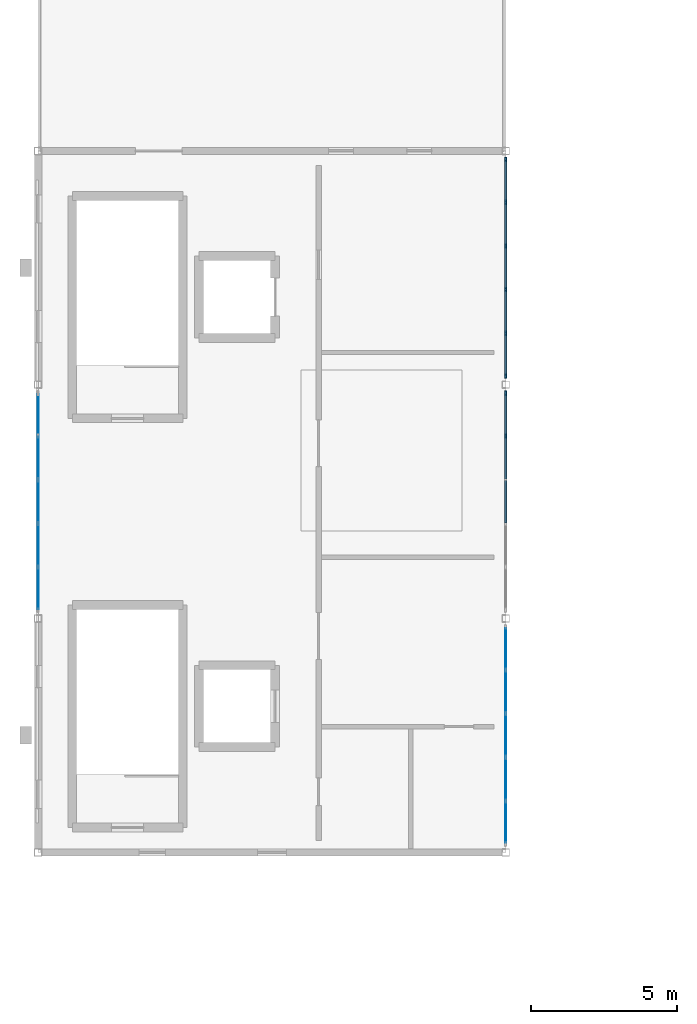
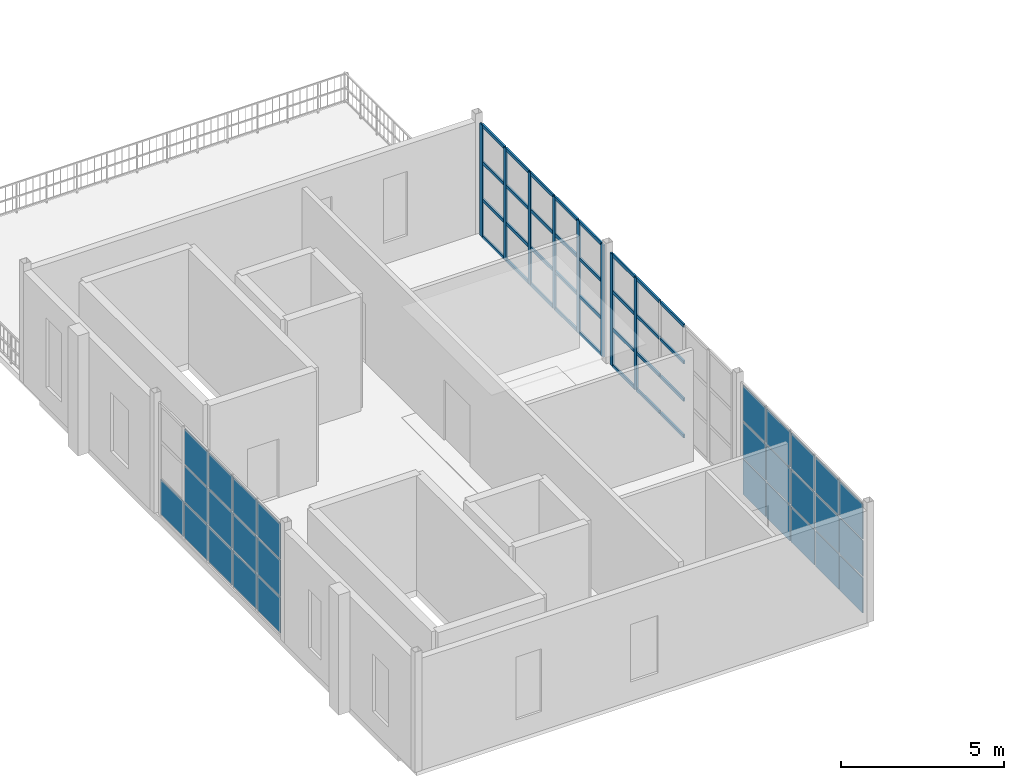
# One storey, part 2 of 9: 40 members, 28 plates, 4 elements without a shape of their own.
"""IFC4 building model written with IfcOpenShell, lengths in metres."""

from ifc_helpers import new_model, si_unit, direction, frame, origin, origin_2d, place, context, subcontext, project, spatial, rectangle, extrude, material, layer, layer_set, material_profile, profile_set, type_object, element, aggregate, save


model = new_model("IFC4")

# Units and contexts
model_context = context("Model", 3, precision=1e-05, world=origin(), true_north=direction((0.0, 1.0)))
body_context = subcontext(model_context, "Body", "Model", "MODEL_VIEW")
ifc_project = project(units=[si_unit("LENGTHUNIT", "METRE"), si_unit("AREAUNIT", "SQUARE_METRE"), si_unit("VOLUMEUNIT", "CUBIC_METRE"), si_unit("PLANEANGLEUNIT", "RADIAN"), si_unit("MASSUNIT", "GRAM", prefix="KILO")], contexts=[model_context])

# Site, building, storey
site_placement = place(None, origin())
site = spatial("IfcSite", under=ifc_project, at=site_placement, CompositionType="ELEMENT")
building_placement = place(site_placement, origin())
building = spatial("IfcBuilding", under=site, at=building_placement, Name="Serraluz Foothill Cableway Terminal", CompositionType="ELEMENT")
storey_placement = place(building_placement, frame((0.0, 0.0, 19.800048828125)))
storey = spatial("IfcBuildingStorey", under=building, at=storey_placement, Name="L04", CompositionType="ELEMENT", Elevation=19.800048828125)

# Curtain wall, members
ifc_material_1 = material(Name="Architectural bronze alloy C28000", Category="aluminium")
curtain_wall_type_1 = type_object("IfcCurtainWallType", Name="TYP-CW-480X380", PredefinedType="NOTDEFINED", material=ifc_material_1)
curtain_wall_1_placement = place(storey_placement, origin())
curtain_wall_1 = element("IfcCurtainWall", 1, at=curtain_wall_1_placement, inside=storey, type_object=curtain_wall_type_1, Name="Ribbed Glazed Curtain Wall CW-V5E-L04-40", PredefinedType="NOTDEFINED")
ifc_material_profile_1 = material_profile(ifc_material_1, rectangle(XDim=0.06005859375, YDim=0.159912109375, at=origin_2d()), Name="ALU MULLION 60x160")
ifc_profile_set_1 = profile_set([ifc_material_profile_1], Name="Architectural bronze alloy C28000")
member_type_1 = type_object("IfcMemberType", Name="TYP-CW-MUL-60X160", PredefinedType="MULLION", material=ifc_profile_set_1)
member_1_placement = place(storey_placement, frame((16.0, 47.705078125, 0.0), z_axis=(0.0, 0.0, 1.0), x_axis=(1.0, 0.0, 0.0)))
member_1 = element("IfcMember", 2, at=member_1_placement, type_object=member_type_1, Name="CW-14 mullion 1", PredefinedType="MULLION", context=body_context, shape_type="SweptSolid", body=[
    extrude(rectangle(XDim=0.06005859375, YDim=0.159912109375, at=origin_2d()), origin(), (0.0, 0.0, 1.0), 4.199951171875),
])
member_2_placement = place(storey_placement, frame((16.0, 46.240966796875, 0.0), z_axis=(0.0, 0.0, 1.0), x_axis=(1.0, 0.0, 0.0)))
member_2 = element("IfcMember", 3, at=member_2_placement, type_object=member_type_1, Name="CW-14 mullion 2", PredefinedType="MULLION", context=body_context, shape_type="SweptSolid", body=[
    extrude(rectangle(XDim=0.06005859375, YDim=0.159912109375, at=origin_2d()), origin(), (0.0, 0.0, 1.0), 4.199951171875),
])

curtain_wall_type_2 = type_object("IfcCurtainWallType", Name="TYP-CW-480X420", PredefinedType="NOTDEFINED", material=ifc_material_1)
curtain_wall_2_placement = place(storey_placement, origin())
curtain_wall_2 = element("IfcCurtainWall", 4, at=curtain_wall_2_placement, inside=storey, type_object=curtain_wall_type_2, Name="Ribbed Glazed Curtain Wall CW-V5E-L04-48", PredefinedType="NOTDEFINED")
member_3_placement = place(storey_placement, frame((16.0, 55.705078125, 0.0), z_axis=(0.0, 0.0, 1.0), x_axis=(1.0, 0.0, 0.0)))
member_3 = element("IfcMember", 5, at=member_3_placement, type_object=member_type_1, Name="CW-15 mullion 1", PredefinedType="MULLION", context=body_context, shape_type="SweptSolid", body=[
    extrude(rectangle(XDim=0.06005859375, YDim=0.159912109375, at=origin_2d()), origin(), (0.0, 0.0, 1.0), 4.199951171875),
])
member_4_placement = place(storey_placement, frame((16.0, 54.240966796875, 0.0), z_axis=(0.0, 0.0, 1.0), x_axis=(1.0, 0.0, 0.0)))
member_4 = element("IfcMember", 6, at=member_4_placement, type_object=member_type_1, Name="CW-15 mullion 2", PredefinedType="MULLION", context=body_context, shape_type="SweptSolid", body=[
    extrude(rectangle(XDim=0.06005859375, YDim=0.159912109375, at=origin_2d()), origin(), (0.0, 0.0, 1.0), 4.199951171875),
])
member_5_placement = place(storey_placement, frame((16.0, 52.7470703125, 0.0), z_axis=(0.0, 0.0, 1.0), x_axis=(1.0, 0.0, 0.0)))
member_5 = element("IfcMember", 7, at=member_5_placement, type_object=member_type_1, Name="CW-15 mullion 3", PredefinedType="MULLION", context=body_context, shape_type="SweptSolid", body=[
    extrude(rectangle(XDim=0.06005859375, YDim=0.159912109375, at=origin_2d()), origin(), (0.0, 0.0, 1.0), 4.199951171875),
])
member_6_placement = place(storey_placement, frame((16.0, 51.2529296875, 0.0), z_axis=(0.0, 0.0, 1.0), x_axis=(1.0, 0.0, 0.0)))
member_6 = element("IfcMember", 8, at=member_6_placement, type_object=member_type_1, Name="CW-15 mullion 4", PredefinedType="MULLION", context=body_context, shape_type="SweptSolid", body=[
    extrude(rectangle(XDim=0.06005859375, YDim=0.159912109375, at=origin_2d()), origin(), (0.0, 0.0, 1.0), 4.199951171875),
])
member_7_placement = place(storey_placement, frame((16.0, 49.759033203125, 0.0), z_axis=(0.0, 0.0, 1.0), x_axis=(1.0, 0.0, 0.0)))
member_7 = element("IfcMember", 9, at=member_7_placement, type_object=member_type_1, Name="CW-15 mullion 5", PredefinedType="MULLION", context=body_context, shape_type="SweptSolid", body=[
    extrude(rectangle(XDim=0.06005859375, YDim=0.159912109375, at=origin_2d()), origin(), (0.0, 0.0, 1.0), 4.199951171875),
])
member_8_placement = place(storey_placement, frame((16.0, 48.294921875, 0.0), z_axis=(0.0, 0.0, 1.0), x_axis=(1.0, 0.0, 0.0)))
member_8 = element("IfcMember", 10, at=member_8_placement, type_object=member_type_1, Name="CW-15 mullion 6", PredefinedType="MULLION", context=body_context, shape_type="SweptSolid", body=[
    extrude(rectangle(XDim=0.06005859375, YDim=0.159912109375, at=origin_2d()), origin(), (0.0, 0.0, 1.0), 4.199951171875),
])

# Member
ifc_material_profile_2 = material_profile(ifc_material_1, rectangle(XDim=0.06005859375, YDim=0.1201171875, at=origin_2d()), Name="ALU TRANSOM 60x120")
ifc_profile_set_2 = profile_set([ifc_material_profile_2], Name="Architectural bronze alloy C28000")
member_type_2 = type_object("IfcMemberType", Name="TYP-CW-TRN-60X120", PredefinedType="USERDEFINED", material=ifc_profile_set_2)
member_9_placement = place(storey_placement, frame((16.0, 47.675048828125, 0.030029296875), z_axis=(0.0, -1.0, 0.0), x_axis=(1.0, 0.0, 0.0)))
member_9 = element("IfcMember", 11, at=member_9_placement, type_object=member_type_2, Name="CW-14 transom 1.1", ObjectType="TRANSOM", PredefinedType="USERDEFINED", context=body_context, shape_type="SweptSolid", body=[
    extrude(rectangle(XDim=0.06005859375, YDim=0.1201171875, at=origin_2d()), origin(), (0.0, 0.0, 1.0), 1.404052734375),
])

member_10_placement = place(storey_placement, frame((16.0, 47.675048828125, 1.39990234375), z_axis=(0.0, -1.0, 0.0), x_axis=(1.0, 0.0, 0.0)))
member_10 = element("IfcMember", 12, at=member_10_placement, type_object=member_type_2, Name="CW-14 transom 1.2", ObjectType="TRANSOM", PredefinedType="USERDEFINED", context=body_context, shape_type="SweptSolid", body=[
    extrude(rectangle(XDim=0.06005859375, YDim=0.1201171875, at=origin_2d()), origin(), (0.0, 0.0, 1.0), 1.404052734375),
])

member_11_placement = place(storey_placement, frame((16.0, 47.675048828125, 2.800048828125), z_axis=(0.0, -1.0, 0.0), x_axis=(1.0, 0.0, 0.0)))
member_11 = element("IfcMember", 13, at=member_11_placement, type_object=member_type_2, Name="CW-14 transom 1.3", ObjectType="TRANSOM", PredefinedType="USERDEFINED", context=body_context, shape_type="SweptSolid", body=[
    extrude(rectangle(XDim=0.06005859375, YDim=0.1201171875, at=origin_2d()), origin(), (0.0, 0.0, 1.0), 1.404052734375),
])

member_12_placement = place(storey_placement, frame((16.0, 47.675048828125, 4.169921875), z_axis=(0.0, -1.0, 0.0), x_axis=(1.0, 0.0, 0.0)))
member_12 = element("IfcMember", 14, at=member_12_placement, type_object=member_type_2, Name="CW-14 transom 1.4", ObjectType="TRANSOM", PredefinedType="USERDEFINED", context=body_context, shape_type="SweptSolid", body=[
    extrude(rectangle(XDim=0.06005859375, YDim=0.1201171875, at=origin_2d()), origin(), (0.0, 0.0, 1.0), 1.404052734375),
])

member_13_placement = place(storey_placement, frame((16.0, 46.2109375, 0.030029296875), z_axis=(0.0, -1.0, 0.0), x_axis=(1.0, 0.0, 0.0)))
member_13 = element("IfcMember", 15, at=member_13_placement, type_object=member_type_2, Name="CW-14 transom 2.1", ObjectType="TRANSOM", PredefinedType="USERDEFINED", context=body_context, shape_type="SweptSolid", body=[
    extrude(rectangle(XDim=0.06005859375, YDim=0.1201171875, at=origin_2d()), origin(), (0.0, 0.0, 1.0), 1.433837890625),
])

member_14_placement = place(storey_placement, frame((16.0, 46.2109375, 1.39990234375), z_axis=(0.0, -1.0, 0.0), x_axis=(1.0, 0.0, 0.0)))
member_14 = element("IfcMember", 16, at=member_14_placement, type_object=member_type_2, Name="CW-14 transom 2.2", ObjectType="TRANSOM", PredefinedType="USERDEFINED", context=body_context, shape_type="SweptSolid", body=[
    extrude(rectangle(XDim=0.06005859375, YDim=0.1201171875, at=origin_2d()), origin(), (0.0, 0.0, 1.0), 1.433837890625),
])

member_15_placement = place(storey_placement, frame((16.0, 46.2109375, 2.800048828125), z_axis=(0.0, -1.0, 0.0), x_axis=(1.0, 0.0, 0.0)))
member_15 = element("IfcMember", 17, at=member_15_placement, type_object=member_type_2, Name="CW-14 transom 2.3", ObjectType="TRANSOM", PredefinedType="USERDEFINED", context=body_context, shape_type="SweptSolid", body=[
    extrude(rectangle(XDim=0.06005859375, YDim=0.1201171875, at=origin_2d()), origin(), (0.0, 0.0, 1.0), 1.433837890625),
])

member_16_placement = place(storey_placement, frame((16.0, 46.2109375, 4.169921875), z_axis=(0.0, -1.0, 0.0), x_axis=(1.0, 0.0, 0.0)))
member_16 = element("IfcMember", 18, at=member_16_placement, type_object=member_type_2, Name="CW-14 transom 2.4", ObjectType="TRANSOM", PredefinedType="USERDEFINED", context=body_context, shape_type="SweptSolid", body=[
    extrude(rectangle(XDim=0.06005859375, YDim=0.1201171875, at=origin_2d()), origin(), (0.0, 0.0, 1.0), 1.433837890625),
])

member_17_placement = place(storey_placement, frame((16.0, 44.717041015625, 0.030029296875), z_axis=(0.0, -1.0, 0.0), x_axis=(1.0, 0.0, 0.0)))
member_17 = element("IfcMember", 19, at=member_17_placement, type_object=member_type_2, Name="CW-14 transom 3.1", ObjectType="TRANSOM", PredefinedType="USERDEFINED", context=body_context, shape_type="SweptSolid", body=[
    extrude(rectangle(XDim=0.06005859375, YDim=0.1201171875, at=origin_2d()), origin(), (0.0, 0.0, 1.0), 1.43408203125),
])

member_18_placement = place(storey_placement, frame((16.0, 44.717041015625, 1.39990234375), z_axis=(0.0, -1.0, 0.0), x_axis=(1.0, 0.0, 0.0)))
member_18 = element("IfcMember", 20, at=member_18_placement, type_object=member_type_2, Name="CW-14 transom 3.2", ObjectType="TRANSOM", PredefinedType="USERDEFINED", context=body_context, shape_type="SweptSolid", body=[
    extrude(rectangle(XDim=0.06005859375, YDim=0.1201171875, at=origin_2d()), origin(), (0.0, 0.0, 1.0), 1.43408203125),
])

member_19_placement = place(storey_placement, frame((16.0, 44.717041015625, 2.800048828125), z_axis=(0.0, -1.0, 0.0), x_axis=(1.0, 0.0, 0.0)))
member_19 = element("IfcMember", 21, at=member_19_placement, type_object=member_type_2, Name="CW-14 transom 3.3", ObjectType="TRANSOM", PredefinedType="USERDEFINED", context=body_context, shape_type="SweptSolid", body=[
    extrude(rectangle(XDim=0.06005859375, YDim=0.1201171875, at=origin_2d()), origin(), (0.0, 0.0, 1.0), 1.43408203125),
])

member_20_placement = place(storey_placement, frame((16.0, 44.717041015625, 4.169921875), z_axis=(0.0, -1.0, 0.0), x_axis=(1.0, 0.0, 0.0)))
member_20 = element("IfcMember", 22, at=member_20_placement, type_object=member_type_2, Name="CW-14 transom 3.4", ObjectType="TRANSOM", PredefinedType="USERDEFINED", context=body_context, shape_type="SweptSolid", body=[
    extrude(rectangle(XDim=0.06005859375, YDim=0.1201171875, at=origin_2d()), origin(), (0.0, 0.0, 1.0), 1.43408203125),
])

aggregate(curtain_wall_1, [member_1, member_2, member_9, member_10, member_11, member_12, member_13, member_14, member_15, member_16, member_17, member_18, member_19, member_20])

member_21_placement = place(storey_placement, frame((16.0, 55.675048828125, 0.030029296875), z_axis=(0.0, -1.0, 0.0), x_axis=(1.0, 0.0, 0.0)))
member_21 = element("IfcMember", 23, at=member_21_placement, type_object=member_type_2, Name="CW-15 transom 1.1", ObjectType="TRANSOM", PredefinedType="USERDEFINED", context=body_context, shape_type="SweptSolid", body=[
    extrude(rectangle(XDim=0.06005859375, YDim=0.1201171875, at=origin_2d()), origin(), (0.0, 0.0, 1.0), 1.404052734375),
])

member_22_placement = place(storey_placement, frame((16.0, 55.675048828125, 1.39990234375), z_axis=(0.0, -1.0, 0.0), x_axis=(1.0, 0.0, 0.0)))
member_22 = element("IfcMember", 24, at=member_22_placement, type_object=member_type_2, Name="CW-15 transom 1.2", ObjectType="TRANSOM", PredefinedType="USERDEFINED", context=body_context, shape_type="SweptSolid", body=[
    extrude(rectangle(XDim=0.06005859375, YDim=0.1201171875, at=origin_2d()), origin(), (0.0, 0.0, 1.0), 1.404052734375),
])

member_23_placement = place(storey_placement, frame((16.0, 55.675048828125, 2.800048828125), z_axis=(0.0, -1.0, 0.0), x_axis=(1.0, 0.0, 0.0)))
member_23 = element("IfcMember", 25, at=member_23_placement, type_object=member_type_2, Name="CW-15 transom 1.3", ObjectType="TRANSOM", PredefinedType="USERDEFINED", context=body_context, shape_type="SweptSolid", body=[
    extrude(rectangle(XDim=0.06005859375, YDim=0.1201171875, at=origin_2d()), origin(), (0.0, 0.0, 1.0), 1.404052734375),
])

member_24_placement = place(storey_placement, frame((16.0, 55.675048828125, 4.169921875), z_axis=(0.0, -1.0, 0.0), x_axis=(1.0, 0.0, 0.0)))
member_24 = element("IfcMember", 26, at=member_24_placement, type_object=member_type_2, Name="CW-15 transom 1.4", ObjectType="TRANSOM", PredefinedType="USERDEFINED", context=body_context, shape_type="SweptSolid", body=[
    extrude(rectangle(XDim=0.06005859375, YDim=0.1201171875, at=origin_2d()), origin(), (0.0, 0.0, 1.0), 1.404052734375),
])

member_25_placement = place(storey_placement, frame((16.0, 54.2109375, 0.030029296875), z_axis=(0.0, -1.0, 0.0), x_axis=(1.0, 0.0, 0.0)))
member_25 = element("IfcMember", 27, at=member_25_placement, type_object=member_type_2, Name="CW-15 transom 2.1", ObjectType="TRANSOM", PredefinedType="USERDEFINED", context=body_context, shape_type="SweptSolid", body=[
    extrude(rectangle(XDim=0.06005859375, YDim=0.1201171875, at=origin_2d()), origin(), (0.0, 0.0, 1.0), 1.433837890625),
])

member_26_placement = place(storey_placement, frame((16.0, 54.2109375, 1.39990234375), z_axis=(0.0, -1.0, 0.0), x_axis=(1.0, 0.0, 0.0)))
member_26 = element("IfcMember", 28, at=member_26_placement, type_object=member_type_2, Name="CW-15 transom 2.2", ObjectType="TRANSOM", PredefinedType="USERDEFINED", context=body_context, shape_type="SweptSolid", body=[
    extrude(rectangle(XDim=0.06005859375, YDim=0.1201171875, at=origin_2d()), origin(), (0.0, 0.0, 1.0), 1.433837890625),
])

member_27_placement = place(storey_placement, frame((16.0, 54.2109375, 2.800048828125), z_axis=(0.0, -1.0, 0.0), x_axis=(1.0, 0.0, 0.0)))
member_27 = element("IfcMember", 29, at=member_27_placement, type_object=member_type_2, Name="CW-15 transom 2.3", ObjectType="TRANSOM", PredefinedType="USERDEFINED", context=body_context, shape_type="SweptSolid", body=[
    extrude(rectangle(XDim=0.06005859375, YDim=0.1201171875, at=origin_2d()), origin(), (0.0, 0.0, 1.0), 1.433837890625),
])

member_28_placement = place(storey_placement, frame((16.0, 54.2109375, 4.169921875), z_axis=(0.0, -1.0, 0.0), x_axis=(1.0, 0.0, 0.0)))
member_28 = element("IfcMember", 30, at=member_28_placement, type_object=member_type_2, Name="CW-15 transom 2.4", ObjectType="TRANSOM", PredefinedType="USERDEFINED", context=body_context, shape_type="SweptSolid", body=[
    extrude(rectangle(XDim=0.06005859375, YDim=0.1201171875, at=origin_2d()), origin(), (0.0, 0.0, 1.0), 1.433837890625),
])

member_29_placement = place(storey_placement, frame((16.0, 52.717041015625, 0.030029296875), z_axis=(0.0, -1.0, 0.0), x_axis=(1.0, 0.0, 0.0)))
member_29 = element("IfcMember", 31, at=member_29_placement, type_object=member_type_2, Name="CW-15 transom 3.1", ObjectType="TRANSOM", PredefinedType="USERDEFINED", context=body_context, shape_type="SweptSolid", body=[
    extrude(rectangle(XDim=0.06005859375, YDim=0.1201171875, at=origin_2d()), origin(), (0.0, 0.0, 1.0), 1.43408203125),
])

member_30_placement = place(storey_placement, frame((16.0, 52.717041015625, 1.39990234375), z_axis=(0.0, -1.0, 0.0), x_axis=(1.0, 0.0, 0.0)))
member_30 = element("IfcMember", 32, at=member_30_placement, type_object=member_type_2, Name="CW-15 transom 3.2", ObjectType="TRANSOM", PredefinedType="USERDEFINED", context=body_context, shape_type="SweptSolid", body=[
    extrude(rectangle(XDim=0.06005859375, YDim=0.1201171875, at=origin_2d()), origin(), (0.0, 0.0, 1.0), 1.43408203125),
])

member_31_placement = place(storey_placement, frame((16.0, 52.717041015625, 2.800048828125), z_axis=(0.0, -1.0, 0.0), x_axis=(1.0, 0.0, 0.0)))
member_31 = element("IfcMember", 33, at=member_31_placement, type_object=member_type_2, Name="CW-15 transom 3.3", ObjectType="TRANSOM", PredefinedType="USERDEFINED", context=body_context, shape_type="SweptSolid", body=[
    extrude(rectangle(XDim=0.06005859375, YDim=0.1201171875, at=origin_2d()), origin(), (0.0, 0.0, 1.0), 1.43408203125),
])

member_32_placement = place(storey_placement, frame((16.0, 52.717041015625, 4.169921875), z_axis=(0.0, -1.0, 0.0), x_axis=(1.0, 0.0, 0.0)))
member_32 = element("IfcMember", 34, at=member_32_placement, type_object=member_type_2, Name="CW-15 transom 3.4", ObjectType="TRANSOM", PredefinedType="USERDEFINED", context=body_context, shape_type="SweptSolid", body=[
    extrude(rectangle(XDim=0.06005859375, YDim=0.1201171875, at=origin_2d()), origin(), (0.0, 0.0, 1.0), 1.43408203125),
])

member_33_placement = place(storey_placement, frame((16.0, 51.222900390625, 0.030029296875), z_axis=(0.0, -1.0, 0.0), x_axis=(1.0, 0.0, 0.0)))
member_33 = element("IfcMember", 35, at=member_33_placement, type_object=member_type_2, Name="CW-15 transom 4.1", ObjectType="TRANSOM", PredefinedType="USERDEFINED", context=body_context, shape_type="SweptSolid", body=[
    extrude(rectangle(XDim=0.06005859375, YDim=0.1201171875, at=origin_2d()), origin(), (0.0, 0.0, 1.0), 1.433837890625),
])

member_34_placement = place(storey_placement, frame((16.0, 51.222900390625, 1.39990234375), z_axis=(0.0, -1.0, 0.0), x_axis=(1.0, 0.0, 0.0)))
member_34 = element("IfcMember", 36, at=member_34_placement, type_object=member_type_2, Name="CW-15 transom 4.2", ObjectType="TRANSOM", PredefinedType="USERDEFINED", context=body_context, shape_type="SweptSolid", body=[
    extrude(rectangle(XDim=0.06005859375, YDim=0.1201171875, at=origin_2d()), origin(), (0.0, 0.0, 1.0), 1.433837890625),
])

member_35_placement = place(storey_placement, frame((16.0, 51.222900390625, 2.800048828125), z_axis=(0.0, -1.0, 0.0), x_axis=(1.0, 0.0, 0.0)))
member_35 = element("IfcMember", 37, at=member_35_placement, type_object=member_type_2, Name="CW-15 transom 4.3", ObjectType="TRANSOM", PredefinedType="USERDEFINED", context=body_context, shape_type="SweptSolid", body=[
    extrude(rectangle(XDim=0.06005859375, YDim=0.1201171875, at=origin_2d()), origin(), (0.0, 0.0, 1.0), 1.433837890625),
])

member_36_placement = place(storey_placement, frame((16.0, 51.222900390625, 4.169921875), z_axis=(0.0, -1.0, 0.0), x_axis=(1.0, 0.0, 0.0)))
member_36 = element("IfcMember", 38, at=member_36_placement, type_object=member_type_2, Name="CW-15 transom 4.4", ObjectType="TRANSOM", PredefinedType="USERDEFINED", context=body_context, shape_type="SweptSolid", body=[
    extrude(rectangle(XDim=0.06005859375, YDim=0.1201171875, at=origin_2d()), origin(), (0.0, 0.0, 1.0), 1.433837890625),
])

member_37_placement = place(storey_placement, frame((16.0, 49.72900390625, 0.030029296875), z_axis=(0.0, -1.0, 0.0), x_axis=(1.0, 0.0, 0.0)))
member_37 = element("IfcMember", 39, at=member_37_placement, type_object=member_type_2, Name="CW-15 transom 5.1", ObjectType="TRANSOM", PredefinedType="USERDEFINED", context=body_context, shape_type="SweptSolid", body=[
    extrude(rectangle(XDim=0.06005859375, YDim=0.1201171875, at=origin_2d()), origin(), (0.0, 0.0, 1.0), 1.404052734375),
])

member_38_placement = place(storey_placement, frame((16.0, 49.72900390625, 1.39990234375), z_axis=(0.0, -1.0, 0.0), x_axis=(1.0, 0.0, 0.0)))
member_38 = element("IfcMember", 40, at=member_38_placement, type_object=member_type_2, Name="CW-15 transom 5.2", ObjectType="TRANSOM", PredefinedType="USERDEFINED", context=body_context, shape_type="SweptSolid", body=[
    extrude(rectangle(XDim=0.06005859375, YDim=0.1201171875, at=origin_2d()), origin(), (0.0, 0.0, 1.0), 1.404052734375),
])

member_39_placement = place(storey_placement, frame((16.0, 49.72900390625, 2.800048828125), z_axis=(0.0, -1.0, 0.0), x_axis=(1.0, 0.0, 0.0)))
member_39 = element("IfcMember", 41, at=member_39_placement, type_object=member_type_2, Name="CW-15 transom 5.3", ObjectType="TRANSOM", PredefinedType="USERDEFINED", context=body_context, shape_type="SweptSolid", body=[
    extrude(rectangle(XDim=0.06005859375, YDim=0.1201171875, at=origin_2d()), origin(), (0.0, 0.0, 1.0), 1.404052734375),
])

member_40_placement = place(storey_placement, frame((16.0, 49.72900390625, 4.169921875), z_axis=(0.0, -1.0, 0.0), x_axis=(1.0, 0.0, 0.0)))
member_40 = element("IfcMember", 42, at=member_40_placement, type_object=member_type_2, Name="CW-15 transom 5.4", ObjectType="TRANSOM", PredefinedType="USERDEFINED", context=body_context, shape_type="SweptSolid", body=[
    extrude(rectangle(XDim=0.06005859375, YDim=0.1201171875, at=origin_2d()), origin(), (0.0, 0.0, 1.0), 1.404052734375),
])

aggregate(curtain_wall_2, [member_3, member_4, member_5, member_6, member_7, member_8, member_21, member_22, member_23, member_24, member_25, member_26, member_27, member_28, member_29, member_30, member_31, member_32, member_33, member_34, member_35, member_36, member_37, member_38, member_39, member_40])

# Curtain wall, plates
curtain_wall_type_3 = type_object("IfcCurtainWallType", Name="TYP-CW-680X420", PredefinedType="NOTDEFINED", material=ifc_material_1)
curtain_wall_3_placement = place(storey_placement, origin())
curtain_wall_3 = element("IfcCurtainWall", 43, at=curtain_wall_3_placement, inside=storey, type_object=curtain_wall_type_3, Name="Ribbed Glazed Curtain Wall CW-V5E-L04-32", PredefinedType="NOTDEFINED")
ifc_material_2 = material(Name="Translucent ribbed laminated channel glass", Category="glass")
ifc_layer = layer(ifc_material_2, 0.028076171875, Name="Translucent ribbed laminated channel glass", Category="glass")
ifc_layer_set = layer_set([ifc_layer], Name="Translucent ribbed laminated channel glass")
plate_type = type_object("IfcPlateType", Name="TYP-CW-PNL-28", PredefinedType="CURTAIN_PANEL", material=ifc_layer_set)
plate_1_placement = place(storey_placement, frame((16.0, 38.972900390625, 0.059814453125), z_axis=(0.0, 0.0, 1.0), x_axis=(0.0, -1.0, 0.0)))
plate_1 = element("IfcPlate", 44, at=plate_1_placement, type_object=plate_type, Name="CW-13 panel 1.1", PredefinedType="CURTAIN_PANEL", context=body_context, shape_type="SweptSolid", body=[
    extrude(rectangle(XDim=1.404052734375, YDim=0.028076171875, at=origin_2d()), origin(), (0.0, 0.0, 1.0), 1.31005859375),
])
plate_2_placement = place(storey_placement, frame((16.0, 38.972900390625, 1.4296875), z_axis=(0.0, 0.0, 1.0), x_axis=(0.0, -1.0, 0.0)))
plate_2 = element("IfcPlate", 45, at=plate_2_placement, type_object=plate_type, Name="CW-13 panel 1.2", PredefinedType="CURTAIN_PANEL", context=body_context, shape_type="SweptSolid", body=[
    extrude(rectangle(XDim=1.404052734375, YDim=0.028076171875, at=origin_2d()), origin(), (0.0, 0.0, 1.0), 1.340087890625),
])
plate_3_placement = place(storey_placement, frame((16.0, 38.972900390625, 2.829833984375), z_axis=(0.0, 0.0, 1.0), x_axis=(0.0, -1.0, 0.0)))
plate_3 = element("IfcPlate", 46, at=plate_3_placement, type_object=plate_type, Name="CW-13 panel 1.3", PredefinedType="CURTAIN_PANEL", context=body_context, shape_type="SweptSolid", body=[
    extrude(rectangle(XDim=1.404052734375, YDim=0.028076171875, at=origin_2d()), origin(), (0.0, 0.0, 1.0), 1.31005859375),
])
plate_4_placement = place(storey_placement, frame((16.0, 37.493896484375, 0.059814453125), z_axis=(0.0, 0.0, 1.0), x_axis=(0.0, -1.0, 0.0)))
plate_4 = element("IfcPlate", 47, at=plate_4_placement, type_object=plate_type, Name="CW-13 panel 2.1", PredefinedType="CURTAIN_PANEL", context=body_context, shape_type="SweptSolid", body=[
    extrude(rectangle(XDim=1.43408203125, YDim=0.028076171875, at=origin_2d()), origin(), (0.0, 0.0, 1.0), 1.31005859375),
])
plate_5_placement = place(storey_placement, frame((16.0, 37.493896484375, 1.4296875), z_axis=(0.0, 0.0, 1.0), x_axis=(0.0, -1.0, 0.0)))
plate_5 = element("IfcPlate", 48, at=plate_5_placement, type_object=plate_type, Name="CW-13 panel 2.2", PredefinedType="CURTAIN_PANEL", context=body_context, shape_type="SweptSolid", body=[
    extrude(rectangle(XDim=1.43408203125, YDim=0.028076171875, at=origin_2d()), origin(), (0.0, 0.0, 1.0), 1.340087890625),
])
plate_6_placement = place(storey_placement, frame((16.0, 37.493896484375, 2.829833984375), z_axis=(0.0, 0.0, 1.0), x_axis=(0.0, -1.0, 0.0)))
plate_6 = element("IfcPlate", 49, at=plate_6_placement, type_object=plate_type, Name="CW-13 panel 2.3", PredefinedType="CURTAIN_PANEL", context=body_context, shape_type="SweptSolid", body=[
    extrude(rectangle(XDim=1.43408203125, YDim=0.028076171875, at=origin_2d()), origin(), (0.0, 0.0, 1.0), 1.31005859375),
])
plate_7_placement = place(storey_placement, frame((16.0, 36.0, 0.059814453125), z_axis=(0.0, 0.0, 1.0), x_axis=(0.0, -1.0, 0.0)))
plate_7 = element("IfcPlate", 50, at=plate_7_placement, type_object=plate_type, Name="CW-13 panel 3.1", PredefinedType="CURTAIN_PANEL", context=body_context, shape_type="SweptSolid", body=[
    extrude(rectangle(XDim=1.43408203125, YDim=0.028076171875, at=origin_2d()), origin(), (0.0, 0.0, 1.0), 1.31005859375),
])
plate_8_placement = place(storey_placement, frame((16.0, 36.0, 1.4296875), z_axis=(0.0, 0.0, 1.0), x_axis=(0.0, -1.0, 0.0)))
plate_8 = element("IfcPlate", 51, at=plate_8_placement, type_object=plate_type, Name="CW-13 panel 3.2", PredefinedType="CURTAIN_PANEL", context=body_context, shape_type="SweptSolid", body=[
    extrude(rectangle(XDim=1.43408203125, YDim=0.028076171875, at=origin_2d()), origin(), (0.0, 0.0, 1.0), 1.340087890625),
])
plate_9_placement = place(storey_placement, frame((16.0, 36.0, 2.829833984375), z_axis=(0.0, 0.0, 1.0), x_axis=(0.0, -1.0, 0.0)))
plate_9 = element("IfcPlate", 52, at=plate_9_placement, type_object=plate_type, Name="CW-13 panel 3.3", PredefinedType="CURTAIN_PANEL", context=body_context, shape_type="SweptSolid", body=[
    extrude(rectangle(XDim=1.43408203125, YDim=0.028076171875, at=origin_2d()), origin(), (0.0, 0.0, 1.0), 1.31005859375),
])
plate_10_placement = place(storey_placement, frame((16.0, 34.506103515625, 0.059814453125), z_axis=(0.0, 0.0, 1.0), x_axis=(0.0, -1.0, 0.0)))
plate_10 = element("IfcPlate", 53, at=plate_10_placement, type_object=plate_type, Name="CW-13 panel 4.1", PredefinedType="CURTAIN_PANEL", context=body_context, shape_type="SweptSolid", body=[
    extrude(rectangle(XDim=1.43408203125, YDim=0.028076171875, at=origin_2d()), origin(), (0.0, 0.0, 1.0), 1.31005859375),
])
plate_11_placement = place(storey_placement, frame((16.0, 34.506103515625, 1.4296875), z_axis=(0.0, 0.0, 1.0), x_axis=(0.0, -1.0, 0.0)))
plate_11 = element("IfcPlate", 54, at=plate_11_placement, type_object=plate_type, Name="CW-13 panel 4.2", PredefinedType="CURTAIN_PANEL", context=body_context, shape_type="SweptSolid", body=[
    extrude(rectangle(XDim=1.43408203125, YDim=0.028076171875, at=origin_2d()), origin(), (0.0, 0.0, 1.0), 1.340087890625),
])
plate_12_placement = place(storey_placement, frame((16.0, 34.506103515625, 2.829833984375), z_axis=(0.0, 0.0, 1.0), x_axis=(0.0, -1.0, 0.0)))
plate_12 = element("IfcPlate", 55, at=plate_12_placement, type_object=plate_type, Name="CW-13 panel 4.3", PredefinedType="CURTAIN_PANEL", context=body_context, shape_type="SweptSolid", body=[
    extrude(rectangle(XDim=1.43408203125, YDim=0.028076171875, at=origin_2d()), origin(), (0.0, 0.0, 1.0), 1.31005859375),
])
plate_13_placement = place(storey_placement, frame((16.0, 33.027099609375, 0.059814453125), z_axis=(0.0, 0.0, 1.0), x_axis=(0.0, -1.0, 0.0)))
plate_13 = element("IfcPlate", 56, at=plate_13_placement, type_object=plate_type, Name="CW-13 panel 5.1", PredefinedType="CURTAIN_PANEL", context=body_context, shape_type="SweptSolid", body=[
    extrude(rectangle(XDim=1.404052734375, YDim=0.028076171875, at=origin_2d()), origin(), (0.0, 0.0, 1.0), 1.31005859375),
])
plate_14_placement = place(storey_placement, frame((16.0, 33.027099609375, 1.4296875), z_axis=(0.0, 0.0, 1.0), x_axis=(0.0, -1.0, 0.0)))
plate_14 = element("IfcPlate", 57, at=plate_14_placement, type_object=plate_type, Name="CW-13 panel 5.2", PredefinedType="CURTAIN_PANEL", context=body_context, shape_type="SweptSolid", body=[
    extrude(rectangle(XDim=1.404052734375, YDim=0.028076171875, at=origin_2d()), origin(), (0.0, 0.0, 1.0), 1.340087890625),
])
plate_15_placement = place(storey_placement, frame((16.0, 33.027099609375, 2.829833984375), z_axis=(0.0, 0.0, 1.0), x_axis=(0.0, -1.0, 0.0)))
plate_15 = element("IfcPlate", 58, at=plate_15_placement, type_object=plate_type, Name="CW-13 panel 5.3", PredefinedType="CURTAIN_PANEL", context=body_context, shape_type="SweptSolid", body=[
    extrude(rectangle(XDim=1.404052734375, YDim=0.028076171875, at=origin_2d()), origin(), (0.0, 0.0, 1.0), 1.31005859375),
])
aggregate(curtain_wall_3, [plate_1, plate_2, plate_3, plate_4, plate_5, plate_6, plate_7, plate_8, plate_9, plate_10, plate_11, plate_12, plate_13, plate_14, plate_15])

curtain_wall_type_4 = type_object("IfcCurtainWallType", Name="TYP-CW-520X440", PredefinedType="NOTDEFINED", material=ifc_material_1)
curtain_wall_4_placement = place(storey_placement, origin())
curtain_wall_4 = element("IfcCurtainWall", 59, at=curtain_wall_4_placement, inside=storey, type_object=curtain_wall_type_4, Name="Ribbed Glazed Curtain Wall CW-V5W-L04-40", PredefinedType="NOTDEFINED")
plate_16_placement = place(storey_placement, frame((0.0, 41.027099609375, 0.059814453125), z_axis=(0.0, 0.0, 1.0), x_axis=(0.0, 1.0, 0.0)))
plate_16 = element("IfcPlate", 60, at=plate_16_placement, type_object=plate_type, Name="CW-08 panel 1.1", PredefinedType="CURTAIN_PANEL", context=body_context, shape_type="SweptSolid", body=[
    extrude(rectangle(XDim=1.404052734375, YDim=0.028076171875, at=origin_2d()), origin(), (0.0, 0.0, 1.0), 1.31005859375),
])
plate_17_placement = place(storey_placement, frame((0.0, 41.027099609375, 1.4296875), z_axis=(0.0, 0.0, 1.0), x_axis=(0.0, 1.0, 0.0)))
plate_17 = element("IfcPlate", 61, at=plate_17_placement, type_object=plate_type, Name="CW-08 panel 1.2", PredefinedType="CURTAIN_PANEL", context=body_context, shape_type="SweptSolid", body=[
    extrude(rectangle(XDim=1.404052734375, YDim=0.028076171875, at=origin_2d()), origin(), (0.0, 0.0, 1.0), 1.340087890625),
])
plate_18_placement = place(storey_placement, frame((0.0, 41.027099609375, 2.829833984375), z_axis=(0.0, 0.0, 1.0), x_axis=(0.0, 1.0, 0.0)))
plate_18 = element("IfcPlate", 62, at=plate_18_placement, type_object=plate_type, Name="CW-08 panel 1.3", PredefinedType="CURTAIN_PANEL", context=body_context, shape_type="SweptSolid", body=[
    extrude(rectangle(XDim=1.404052734375, YDim=0.028076171875, at=origin_2d()), origin(), (0.0, 0.0, 1.0), 1.31005859375),
])
plate_19_placement = place(storey_placement, frame((0.0, 42.506103515625, 0.059814453125), z_axis=(0.0, 0.0, 1.0), x_axis=(0.0, 1.0, 0.0)))
plate_19 = element("IfcPlate", 63, at=plate_19_placement, type_object=plate_type, Name="CW-08 panel 2.1", PredefinedType="CURTAIN_PANEL", context=body_context, shape_type="SweptSolid", body=[
    extrude(rectangle(XDim=1.43408203125, YDim=0.028076171875, at=origin_2d()), origin(), (0.0, 0.0, 1.0), 1.31005859375),
])
plate_20_placement = place(storey_placement, frame((0.0, 42.506103515625, 1.4296875), z_axis=(0.0, 0.0, 1.0), x_axis=(0.0, 1.0, 0.0)))
plate_20 = element("IfcPlate", 64, at=plate_20_placement, type_object=plate_type, Name="CW-08 panel 2.2", PredefinedType="CURTAIN_PANEL", context=body_context, shape_type="SweptSolid", body=[
    extrude(rectangle(XDim=1.43408203125, YDim=0.028076171875, at=origin_2d()), origin(), (0.0, 0.0, 1.0), 1.340087890625),
])
plate_21_placement = place(storey_placement, frame((0.0, 42.506103515625, 2.829833984375), z_axis=(0.0, 0.0, 1.0), x_axis=(0.0, 1.0, 0.0)))
plate_21 = element("IfcPlate", 65, at=plate_21_placement, type_object=plate_type, Name="CW-08 panel 2.3", PredefinedType="CURTAIN_PANEL", context=body_context, shape_type="SweptSolid", body=[
    extrude(rectangle(XDim=1.43408203125, YDim=0.028076171875, at=origin_2d()), origin(), (0.0, 0.0, 1.0), 1.31005859375),
])
plate_22_placement = place(storey_placement, frame((0.0, 44.0, 0.059814453125), z_axis=(0.0, 0.0, 1.0), x_axis=(0.0, 1.0, 0.0)))
plate_22 = element("IfcPlate", 66, at=plate_22_placement, type_object=plate_type, Name="CW-08 panel 3.1", PredefinedType="CURTAIN_PANEL", context=body_context, shape_type="SweptSolid", body=[
    extrude(rectangle(XDim=1.43408203125, YDim=0.028076171875, at=origin_2d()), origin(), (0.0, 0.0, 1.0), 1.31005859375),
])
plate_23_placement = place(storey_placement, frame((0.0, 44.0, 1.4296875), z_axis=(0.0, 0.0, 1.0), x_axis=(0.0, 1.0, 0.0)))
plate_23 = element("IfcPlate", 67, at=plate_23_placement, type_object=plate_type, Name="CW-08 panel 3.2", PredefinedType="CURTAIN_PANEL", context=body_context, shape_type="SweptSolid", body=[
    extrude(rectangle(XDim=1.43408203125, YDim=0.028076171875, at=origin_2d()), origin(), (0.0, 0.0, 1.0), 1.340087890625),
])
plate_24_placement = place(storey_placement, frame((0.0, 44.0, 2.829833984375), z_axis=(0.0, 0.0, 1.0), x_axis=(0.0, 1.0, 0.0)))
plate_24 = element("IfcPlate", 68, at=plate_24_placement, type_object=plate_type, Name="CW-08 panel 3.3", PredefinedType="CURTAIN_PANEL", context=body_context, shape_type="SweptSolid", body=[
    extrude(rectangle(XDim=1.43408203125, YDim=0.028076171875, at=origin_2d()), origin(), (0.0, 0.0, 1.0), 1.31005859375),
])
plate_25_placement = place(storey_placement, frame((0.0, 45.493896484375, 0.059814453125), z_axis=(0.0, 0.0, 1.0), x_axis=(0.0, 1.0, 0.0)))
plate_25 = element("IfcPlate", 69, at=plate_25_placement, type_object=plate_type, Name="CW-08 panel 4.1", PredefinedType="CURTAIN_PANEL", context=body_context, shape_type="SweptSolid", body=[
    extrude(rectangle(XDim=1.43408203125, YDim=0.028076171875, at=origin_2d()), origin(), (0.0, 0.0, 1.0), 1.31005859375),
])
plate_26_placement = place(storey_placement, frame((0.0, 45.493896484375, 1.4296875), z_axis=(0.0, 0.0, 1.0), x_axis=(0.0, 1.0, 0.0)))
plate_26 = element("IfcPlate", 70, at=plate_26_placement, type_object=plate_type, Name="CW-08 panel 4.2", PredefinedType="CURTAIN_PANEL", context=body_context, shape_type="SweptSolid", body=[
    extrude(rectangle(XDim=1.43408203125, YDim=0.028076171875, at=origin_2d()), origin(), (0.0, 0.0, 1.0), 1.340087890625),
])
plate_27_placement = place(storey_placement, frame((0.0, 45.493896484375, 2.829833984375), z_axis=(0.0, 0.0, 1.0), x_axis=(0.0, 1.0, 0.0)))
plate_27 = element("IfcPlate", 71, at=plate_27_placement, type_object=plate_type, Name="CW-08 panel 4.3", PredefinedType="CURTAIN_PANEL", context=body_context, shape_type="SweptSolid", body=[
    extrude(rectangle(XDim=1.43408203125, YDim=0.028076171875, at=origin_2d()), origin(), (0.0, 0.0, 1.0), 1.31005859375),
])
plate_28_placement = place(storey_placement, frame((0.0, 46.972900390625, 0.059814453125), z_axis=(0.0, 0.0, 1.0), x_axis=(0.0, 1.0, 0.0)))
plate_28 = element("IfcPlate", 72, at=plate_28_placement, type_object=plate_type, Name="CW-08 panel 5.1", PredefinedType="CURTAIN_PANEL", context=body_context, shape_type="SweptSolid", body=[
    extrude(rectangle(XDim=1.404052734375, YDim=0.028076171875, at=origin_2d()), origin(), (0.0, 0.0, 1.0), 1.31005859375),
])
aggregate(curtain_wall_4, [plate_16, plate_17, plate_18, plate_19, plate_20, plate_21, plate_22, plate_23, plate_24, plate_25, plate_26, plate_27, plate_28])

save(model, "model.ifc")
